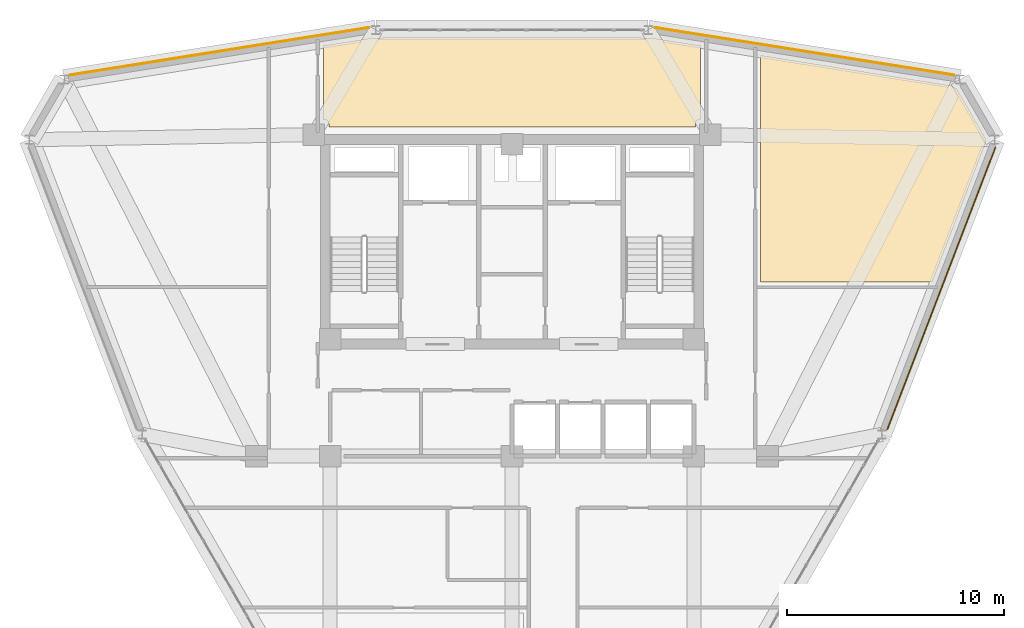
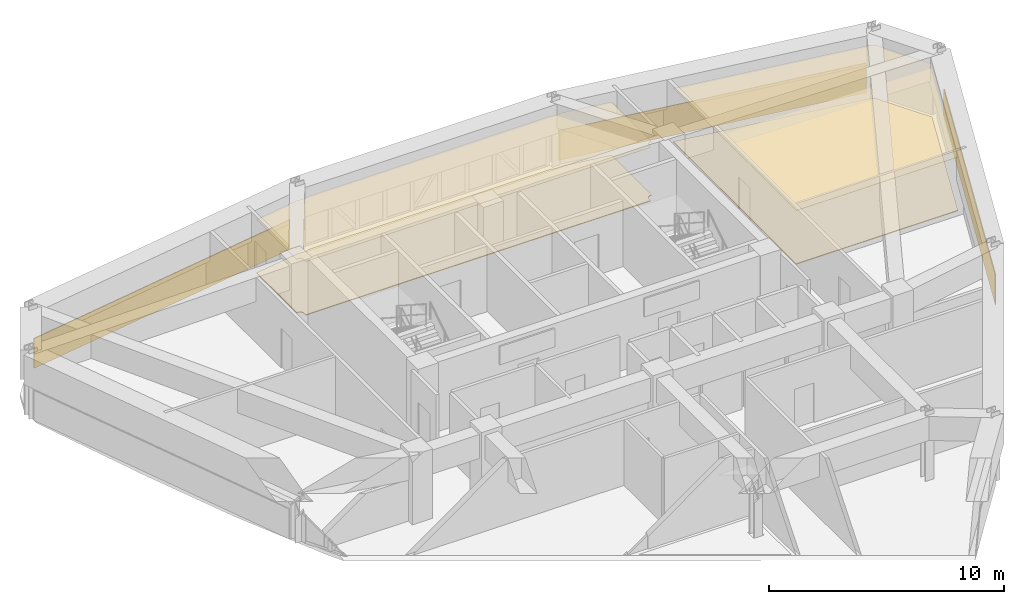
# One storey, part 13 of 13: 7 coverings.
"""IFC4 building model written with IfcOpenShell, lengths in metres."""

from ifc_helpers import new_model, si_unit, derived_unit, direction, frame, origin, place, context, subcontext, project, spatial, polyline, outline, extrude, material, layer, layer_set, type_object, element, save


model = new_model("IFC4")

# Units and contexts
model_context = context("Model", 3, precision=1e-05, world=origin(), true_north=direction((0.0, 1.0)))
body_context = subcontext(model_context, "Body", "Model", "MODEL_VIEW")
ifc_project = project(units=[si_unit("LENGTHUNIT", "METRE"), si_unit("AREAUNIT", "SQUARE_METRE"), si_unit("VOLUMEUNIT", "CUBIC_METRE"), si_unit("PLANEANGLEUNIT", "RADIAN"), si_unit("MASSUNIT", "GRAM", prefix="KILO"), derived_unit("THERMALTRANSMITTANCEUNIT", [(si_unit("POWERUNIT", "WATT"), 1), (si_unit("LENGTHUNIT", "METRE"), -2), (si_unit("THERMODYNAMICTEMPERATUREUNIT", "KELVIN"), -1)])], contexts=[model_context])

# Site, building, storey
site_placement = place(None, origin())
site = spatial("IfcSite", under=ifc_project, at=site_placement, CompositionType="ELEMENT")
building_placement = place(site_placement, origin())
building = spatial("IfcBuilding", under=site, at=building_placement, Name="Korsvarv Bourse and Concert Hall", CompositionType="ELEMENT")
storey_placement = place(building_placement, frame((0.0, 0.0, 183.0)))
storey = spatial("IfcBuildingStorey", under=building, at=storey_placement, Name="L47", CompositionType="ELEMENT", Elevation=183.0)

# Coverings
ifc_material_1 = material(Name="Perforated mineral-wool and birch acoustic baffle ceiling", Category="wood")
ifc_layer_1 = layer(ifc_material_1, 0.02490234375)
ifc_layer_set_1 = layer_set([ifc_layer_1], Name="Perforated mineral-wool and birch acoustic baffle ceiling")
covering_type_1 = type_object("IfcCoveringType", Name="COV-CEIL-1", PredefinedType="CEILING", material=ifc_layer_set_1)
covering_1_placement = place(storey_placement, frame((0.0, 0.0, 2.780029296875)))
element("IfcCovering", 1, at=covering_1_placement, inside=storey, type_object=covering_type_1, Name="L47 acoustic baffle ceiling 1", PredefinedType="CEILING", context=body_context, shape_type="SweptSolid", body=[
    extrude(outline(polyline([(56.311767578125, 49.5029296875), (56.332275390625, 49.47314453125), (56.358154296875, 49.447998046875), (56.388671875, 49.4287109375), (56.42236328125, 49.415771484375), (56.4580078125, 49.409912109375), (56.51611328125, 49.406005859375), (57.897216796875, 47.013671875), (57.897216796875, 46.9375), (55.409423828125, 40.449951171875), (47.47998046875, 40.449951171875), (47.47998046875, 50.9140625), (56.311767578125, 49.5029296875)])), origin(), (0.0, 0.0, 1.0), 0.02490234375),
])
covering_2_placement = place(storey_placement, frame((0.0, 0.0, 2.780029296875)))
element("IfcCovering", 2, at=covering_2_placement, inside=storey, type_object=covering_type_1, Name="L47 acoustic baffle ceiling 2", PredefinedType="CEILING", context=body_context, shape_type="SweptSolid", body=[
    extrude(outline(polyline([(29.45361328125, 51.697265625), (29.477783203125, 51.6923828125), (29.91064453125, 51.684326171875), (29.947021484375, 51.6875), (29.981689453125, 51.69775390625), (30.013916015625, 51.71484375), (30.0419921875, 51.738037109375), (41.9541015625, 51.7421875), (41.97412109375, 51.726318359375), (42.00439453125, 51.709228515625), (42.03759765625, 51.698486328125), (42.072021484375, 51.6943359375), (42.488037109375, 51.684326171875), (42.52294921875, 51.68701171875), (42.555419921875, 51.69580078125), (44.7099609375, 51.353759765625), (44.7099609375, 47.93994140625), (44.64990234375, 47.93994140625), (44.615478515625, 47.936767578125), (44.582275390625, 47.9267578125), (44.5517578125, 47.910888671875), (44.524658203125, 47.88916015625), (44.502197265625, 47.86279296875), (44.4853515625, 47.83251953125), (44.474365234375, 47.799560546875), (44.47021484375, 47.765380859375), (44.465087890625, 47.60009765625), (27.5400390625, 47.60009765625), (27.5400390625, 47.75), (27.53662109375, 47.7841796875), (27.527099609375, 47.817138671875), (27.510986328125, 47.84765625), (27.48974609375, 47.874755859375), (27.463623046875, 47.897216796875), (27.433837890625, 47.914306640625), (27.4013671875, 47.92529296875), (27.3671875, 47.929931640625), (27.2900390625, 47.932861328125), (27.2900390625, 51.353759765625), (29.45361328125, 51.697265625)])), origin(), (0.0, 0.0, 1.0), 0.02490234375),
])
ifc_material_2 = material(Name="Warm iron-oxide extruded terracotta rainscreen tile", Category="ceramic")
ifc_layer_2 = layer(ifc_material_2, 0.044921875)
ifc_layer_set_2 = layer_set([ifc_layer_2], Name="Warm iron-oxide extruded terracotta rainscreen tile")
covering_type_2 = type_object("IfcCoveringType", Name="COV-CLD-TC", PredefinedType="CLADDING", material=ifc_layer_set_2)
covering_3_placement = place(storey_placement, origin())
element("IfcCovering", 3, at=covering_3_placement, inside=storey, type_object=covering_type_2, Name="L47 fluted terracotta cladding panel EW-L47-B02", PredefinedType="CLADDING", context=body_context, shape_type="SweptSolid", body=[
    extrude(outline(polyline([(56.416748046875, 49.976318359375), (42.597412109375, 52.170166015625), (42.6044921875, 52.214599609375), (56.423828125, 50.020751953125), (56.416748046875, 49.976318359375)])), origin(), (0.0, 0.0, 1.0), 1.550048828125),
])
covering_4_placement = place(storey_placement, origin())
element("IfcCovering", 4, at=covering_4_placement, inside=storey, type_object=covering_type_2, Name="L47 fluted terracotta cladding panel EW-L47-B04", PredefinedType="CLADDING", context=body_context, shape_type="SweptSolid", body=[
    extrude(outline(polyline([(29.402587890625, 52.170166015625), (15.583251953125, 49.976318359375), (15.576171875, 50.020751953125), (29.3955078125, 52.214599609375), (29.402587890625, 52.170166015625)])), origin(), (0.0, 0.0, 1.0), 1.550048828125),
])
covering_5_placement = place(storey_placement, origin())
element("IfcCovering", 5, at=covering_5_placement, inside=storey, type_object=covering_type_2, Name="L47 fluted terracotta cladding panel EW-L47-B12", PredefinedType="CLADDING", context=body_context, shape_type="SweptSolid", body=[
    extrude(outline(polyline([(53.308837890625, 33.64501953125), (58.305908203125, 46.677001953125), (58.347900390625, 46.660888671875), (53.350830078125, 33.628662109375), (53.308837890625, 33.64501953125)])), origin(), (0.0, 0.0, 1.0), 1.550048828125),
])
ifc_material_3 = material(Name="Calcium-sulphate raised access trading floor with Nordic oak top", Category="wood")
ifc_layer_3 = layer(ifc_material_3, 0.0400390625)
ifc_layer_set_3 = layer_set([ifc_layer_3], Name="Calcium-sulphate raised access trading floor with Nordic oak top")
covering_type_3 = type_object("IfcCoveringType", Name="COV-FLOR-1", PredefinedType="FLOORING", material=ifc_layer_set_3)
covering_6_placement = place(storey_placement, origin())
element("IfcCovering", 6, at=covering_6_placement, inside=storey, type_object=covering_type_3, Name="L47 raised access oak floor finish 1", PredefinedType="FLOORING", context=body_context, shape_type="SweptSolid", body=[
    extrude(outline(polyline([(56.311767578125, 49.5029296875), (56.332275390625, 49.47314453125), (56.358154296875, 49.447998046875), (56.388671875, 49.4287109375), (56.42236328125, 49.415771484375), (56.4580078125, 49.409912109375), (56.51611328125, 49.406005859375), (57.897216796875, 47.013671875), (57.897216796875, 46.9375), (55.409423828125, 40.449951171875), (47.47998046875, 40.449951171875), (47.47998046875, 50.9140625), (56.311767578125, 49.5029296875)])), origin(), (0.0, 0.0, 1.0), 0.0400390625),
])
covering_7_placement = place(storey_placement, origin())
element("IfcCovering", 7, at=covering_7_placement, inside=storey, type_object=covering_type_3, Name="L47 raised access oak floor finish 2", PredefinedType="FLOORING", context=body_context, shape_type="SweptSolid", body=[
    extrude(outline(polyline([(29.45361328125, 51.697265625), (29.477783203125, 51.6923828125), (29.91064453125, 51.684326171875), (29.947021484375, 51.6875), (29.981689453125, 51.69775390625), (30.013916015625, 51.71484375), (30.0419921875, 51.738037109375), (41.9541015625, 51.7421875), (41.97412109375, 51.726318359375), (42.00439453125, 51.709228515625), (42.03759765625, 51.698486328125), (42.072021484375, 51.6943359375), (42.488037109375, 51.684326171875), (42.52294921875, 51.68701171875), (42.555419921875, 51.69580078125), (44.7099609375, 51.353759765625), (44.7099609375, 47.93994140625), (44.64990234375, 47.93994140625), (44.615478515625, 47.936767578125), (44.582275390625, 47.9267578125), (44.5517578125, 47.910888671875), (44.524658203125, 47.88916015625), (44.502197265625, 47.86279296875), (44.4853515625, 47.83251953125), (44.474365234375, 47.799560546875), (44.47021484375, 47.765380859375), (44.465087890625, 47.60009765625), (27.5400390625, 47.60009765625), (27.5400390625, 47.75), (27.53662109375, 47.7841796875), (27.527099609375, 47.817138671875), (27.510986328125, 47.84765625), (27.48974609375, 47.874755859375), (27.463623046875, 47.897216796875), (27.433837890625, 47.914306640625), (27.4013671875, 47.92529296875), (27.3671875, 47.929931640625), (27.2900390625, 47.932861328125), (27.2900390625, 51.353759765625), (29.45361328125, 51.697265625)])), origin(), (0.0, 0.0, 1.0), 0.0400390625),
])

save(model, "model.ifc")
